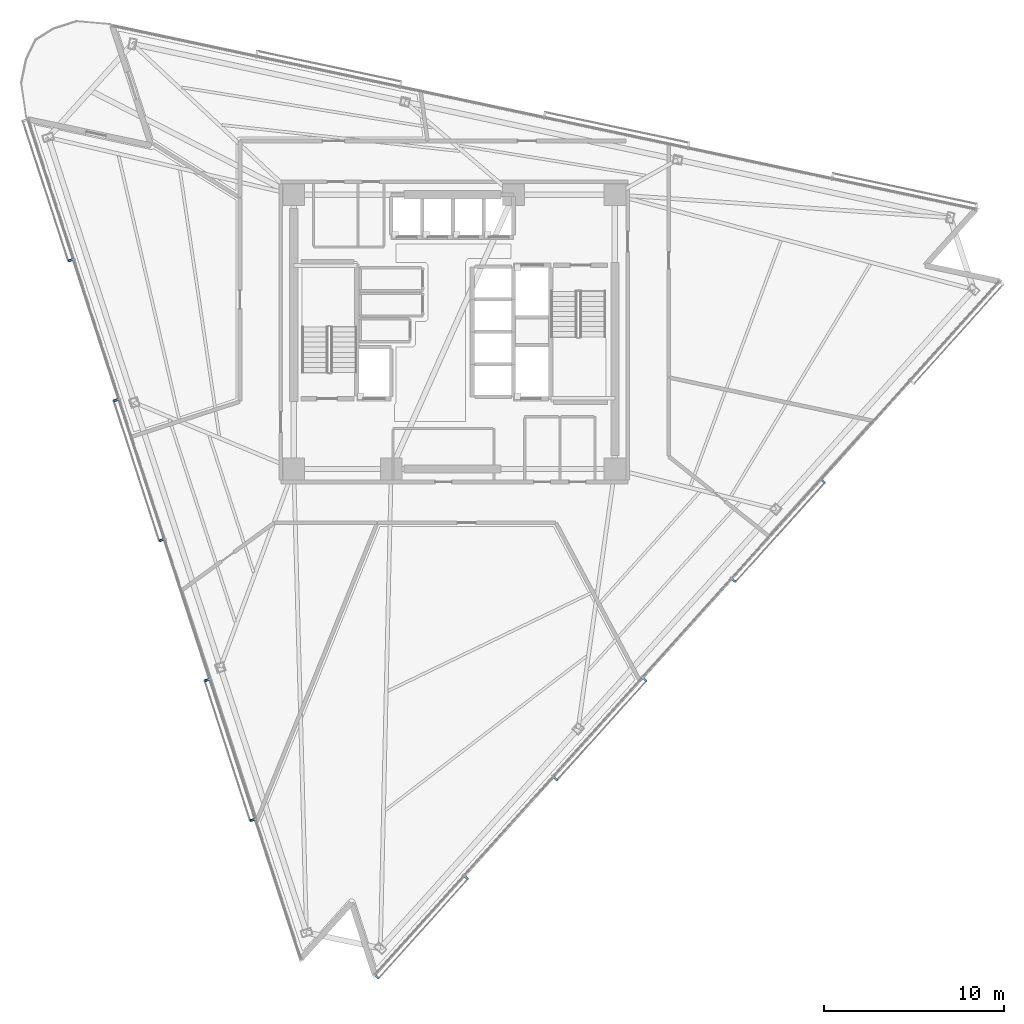
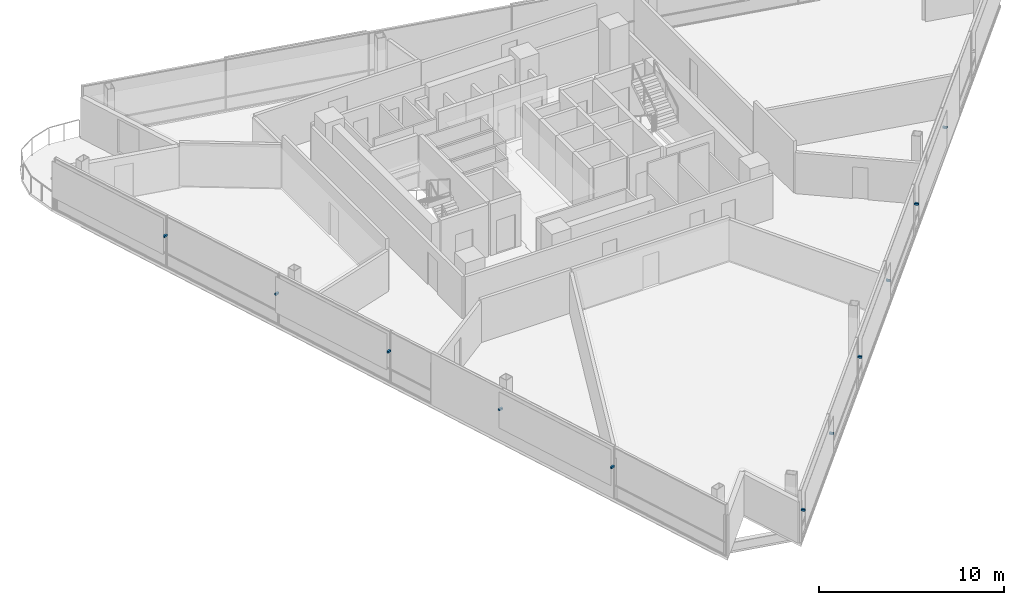
# One storey, part 13 of 17: 11 discrete accessories.
"""IFC4 building model written with IfcOpenShell, lengths in metres."""

from ifc_helpers import new_model, si_unit, direction, frame, origin, origin_2d, place, context, subcontext, project, spatial, rectangle, extrude, material, type_object, element, save


model = new_model("IFC4")

# Units and contexts
model_context = context("Model", 3, precision=1e-05, world=origin(), true_north=direction((0.0, 1.0)))
body_context = subcontext(model_context, "Body", "Model", "MODEL_VIEW")
ifc_project = project(units=[si_unit("LENGTHUNIT", "METRE"), si_unit("AREAUNIT", "SQUARE_METRE"), si_unit("VOLUMEUNIT", "CUBIC_METRE"), si_unit("PLANEANGLEUNIT", "RADIAN"), si_unit("MASSUNIT", "GRAM", prefix="KILO")], contexts=[model_context])

# Site, building, storey
site_placement = place(None, origin())
site = spatial("IfcSite", under=ifc_project, at=site_placement, CompositionType="ELEMENT")
building_placement = place(site_placement, origin())
building = spatial("IfcBuilding", under=site, at=building_placement, Name="Tharavind Bronze Gate", CompositionType="ELEMENT")
storey_placement = place(building_placement, frame((0.0, 0.0, 207.64990234375)))
storey = spatial("IfcBuildingStorey", under=building, at=storey_placement, Name="L53", CompositionType="ELEMENT", Elevation=207.64990234375)

# Discrete accessories
ifc_material = material(Name="Stainless Steel 316", Category="steel")
discrete_accessory_type = type_object("IfcDiscreteAccessoryType", Name="SOLAR SCREEN STANDOFF BRACKET", PredefinedType="BRACKET", material=ifc_material)
for number, where, z_axis, x_axis, name in (
    (1, (-21.281005859375, 3.96826171875, 2.10009765625), (0.0, 0.0, 1.0), (0.309016994375, -0.951056516295, 0.0), "CW-L53-S1 solar screen bracket 1.2"),
    (2, (-18.760986328125, -3.7880859375, 2.10009765625), (0.0, 0.0, 1.0), (0.309016994375, -0.951056516295, 0.0), "CW-L53-S1 solar screen bracket 3.1"),
    (3, (-16.240478515625, -11.544677734375, 2.10009765625), (0.0, 0.0, 1.0), (0.309016994375, -0.951056516295, 0.0), "CW-L53-S1 solar screen bracket 3.2"),
    (4, (-13.720458984375, -19.30126953125, 2.10009765625), (0.0, 0.0, 1.0), (0.309016994375, -0.951056516295, 0.0), "CW-L53-S1 solar screen bracket 5.1"),
    (5, (-11.2001953125, -27.057861328125, 2.10009765625), (0.0, 0.0, 1.0), (0.309016994375, -0.951056516295, 0.0), "CW-L53-S1 solar screen bracket 5.2"),
    (6, (-4.2783203125, -35.75, 2.10009765625), (0.0, 0.0, 1.0), (0.669130606359, 0.743144825477, 0.0), "CW-L53-S2 solar screen bracket 1.1"),
    (7, (0.666015625, -30.258544921875, 2.10009765625), (0.0, 0.0, 1.0), (0.669130606359, 0.743144825477, 0.0), "CW-L53-S2 solar screen bracket 1.2"),
    (8, (5.610595703125, -24.76708984375, 2.10009765625), (0.0, 0.0, 1.0), (0.669130606359, 0.743144825477, 0.0), "CW-L53-S2 solar screen bracket 3.1"),
    (9, (10.55517578125, -19.275634765625, 2.10009765625), (0.0, 0.0, 1.0), (0.669130606359, 0.743144825477, 0.0), "CW-L53-S2 solar screen bracket 3.2"),
    (10, (15.49951171875, -13.7841796875, 2.10009765625), (0.0, 0.0, 1.0), (0.669130606359, 0.743144825477, 0.0), "CW-L53-S2 solar screen bracket 5.1"),
    (11, (20.444091796875, -8.292724609375, 2.10009765625), (0.0, 0.0, 1.0), (0.669130606359, 0.743144825477, 0.0), "CW-L53-S2 solar screen bracket 5.2"),
):
    element("IfcDiscreteAccessory", number, at=place(storey_placement, frame(where, z_axis=z_axis, x_axis=x_axis)), inside=storey, type_object=discrete_accessory_type, Name=name, PredefinedType="BRACKET", context=body_context, shape_type="SweptSolid", body=[
        extrude(rectangle(XDim=0.1201171875, YDim=0.239990234375, at=origin_2d()), origin(), (0.0, 0.0, 1.0), 0.1201171875),
    ])

save(model, "model.ifc")
